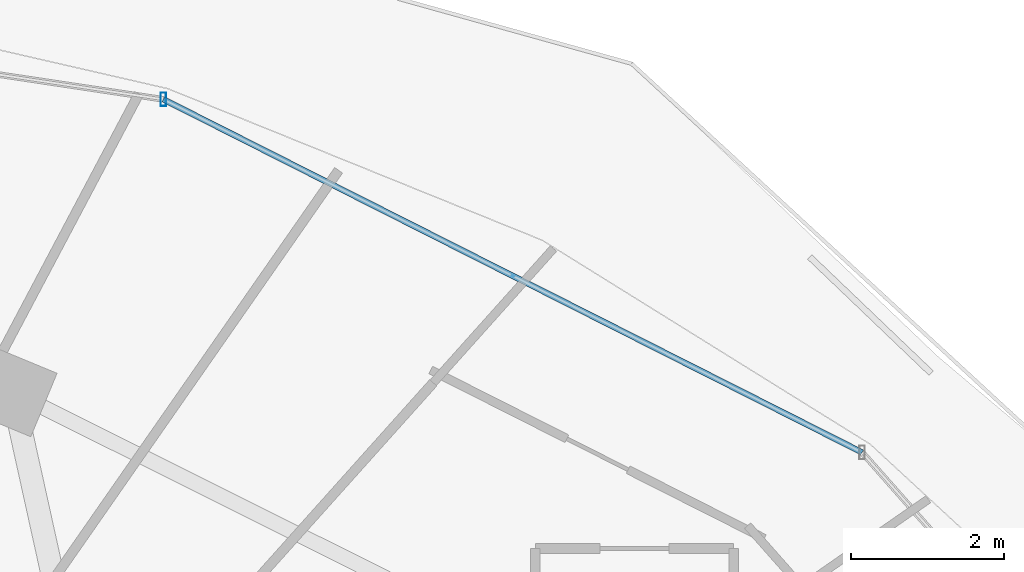
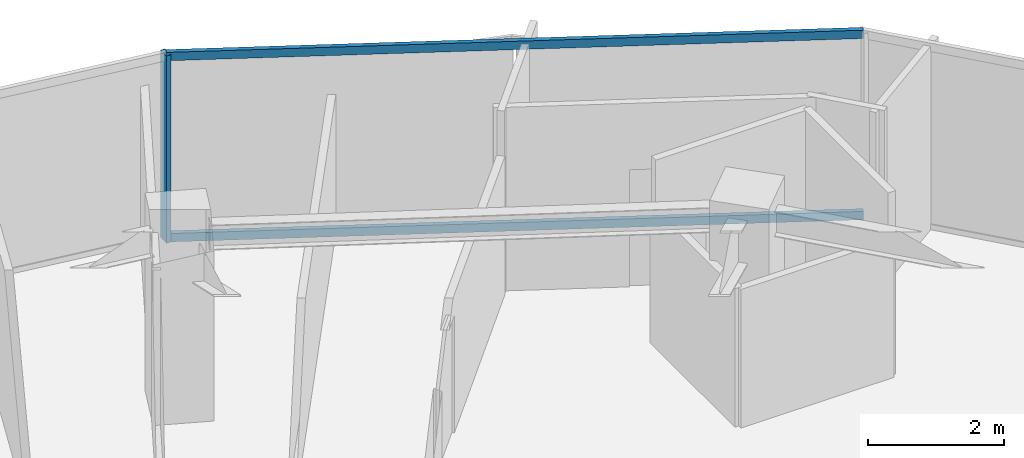
# One storey, part 21 of 33: 3 members, 1 element without a shape of its own.
"""IFC4 building model written with IfcOpenShell, lengths in metres."""

from ifc_helpers import new_model, si_unit, direction, frame, origin, origin_2d, place, context, subcontext, project, spatial, hollow_rectangle, extrude, material, material_profile, profile_set, type_object, element, aggregate, save


model = new_model("IFC4")

# Units and contexts
model_context = context("Model", 3, precision=1e-05, world=origin(), true_north=direction((0.0, 1.0)))
body_context = subcontext(model_context, "Body", "Model", "MODEL_VIEW")
ifc_project = project(units=[si_unit("LENGTHUNIT", "METRE"), si_unit("AREAUNIT", "SQUARE_METRE"), si_unit("VOLUMEUNIT", "CUBIC_METRE"), si_unit("PLANEANGLEUNIT", "RADIAN"), si_unit("MASSUNIT", "GRAM", prefix="KILO")], contexts=[model_context])

# Site, building, storey
site_placement = place(None, origin())
site = spatial("IfcSite", under=ifc_project, at=site_placement, CompositionType="ELEMENT")
building_placement = place(site_placement, origin())
building = spatial("IfcBuilding", under=site, at=building_placement, Name="Vorneva Point Tower", CompositionType="ELEMENT")
storey_placement = place(building_placement, frame((0.0, 0.0, 217.85009765625)))
storey = spatial("IfcBuildingStorey", under=building, at=storey_placement, Name="L59", CompositionType="ELEMENT", Elevation=217.85009765625)

# Curtain wall, members
ifc_material = material(Name="Pale anodised aluminium", Category="aluminium")
curtain_wall_type = type_object("IfcCurtainWallType", Name="CW-RES-SYS", PredefinedType="NOTDEFINED", material=ifc_material)
curtain_wall_placement = place(storey_placement, origin())
curtain_wall = element("IfcCurtainWall", 1, at=curtain_wall_placement, inside=storey, type_object=curtain_wall_type, Name="L59 Unitised Curtain Wall CW-L59-R01", PredefinedType="NOTDEFINED")
ifc_material_profile_1 = material_profile(ifc_material, hollow_rectangle(XDim=0.074951171875, YDim=0.179931640625, WallThickness=0.00390625, at=origin_2d()), Name="AL-MUL 180x75x4")
ifc_profile_set_1 = profile_set([ifc_material_profile_1], Name="Pale anodised aluminium")
member_type_1 = type_object("IfcMemberType", Name="CW-MUL-180", PredefinedType="MULLION", material=ifc_profile_set_1)
member_1_placement = place(storey_placement, frame((48.80322265625, 45.724853515625, -0.0400390625), z_axis=(0.0, 0.0, 1.0), x_axis=(1.0, 0.0, 0.0)))
member_1 = element("IfcMember", 2, at=member_1_placement, type_object=member_type_1, Name="CW-L59-R01 Mullion 03", PredefinedType="MULLION", context=body_context, shape_type="SweptSolid", body=[
    extrude(hollow_rectangle(XDim=0.074951171875, YDim=0.179931640625, WallThickness=0.00390625, at=origin_2d()), origin(), (0.0, 0.0, 1.0), 3.35986328125),
])
ifc_material_profile_2 = material_profile(ifc_material, hollow_rectangle(XDim=0.074951171875, YDim=0.14990234375, WallThickness=0.00390625, at=origin_2d()), Name="AL-TRN 150x75x4")
ifc_profile_set_2 = profile_set([ifc_material_profile_2], Name="Pale anodised aluminium")
member_type_2 = type_object("IfcMemberType", Name="CW-TRN-150", PredefinedType="USERDEFINED", material=ifc_profile_set_2)
member_2_placement = place(storey_placement, frame((57.961669921875, 41.0966796875, 0.02001953125), z_axis=(-0.892510927709, 0.451025768576, 0.0), x_axis=(-0.451025768576, -0.892510927709, 0.0)))
member_2 = element("IfcMember", 3, at=member_2_placement, type_object=member_type_2, Name="CW-L59-R01 Transom 02.1", ObjectType="TRANSOM", PredefinedType="USERDEFINED", context=body_context, shape_type="SweptSolid", body=[
    extrude(hollow_rectangle(XDim=0.074951171875, YDim=0.14990234375, WallThickness=0.00390625, at=origin_2d()), origin(), (0.0, 0.0, 1.0), 10.261474609375),
])
member_3_placement = place(storey_placement, frame((57.961669921875, 41.0966796875, 3.27001953125), z_axis=(-0.892510927709, 0.451025768576, 0.0), x_axis=(-0.451025768576, -0.892510927709, 0.0)))
member_3 = element("IfcMember", 4, at=member_3_placement, type_object=member_type_2, Name="CW-L59-R01 Transom 02.2", ObjectType="TRANSOM", PredefinedType="USERDEFINED", context=body_context, shape_type="SweptSolid", body=[
    extrude(hollow_rectangle(XDim=0.074951171875, YDim=0.14990234375, WallThickness=0.00390625, at=origin_2d()), origin(), (0.0, 0.0, 1.0), 10.261474609375),
])
aggregate(curtain_wall, [member_1, member_2, member_3])

save(model, "model.ifc")
